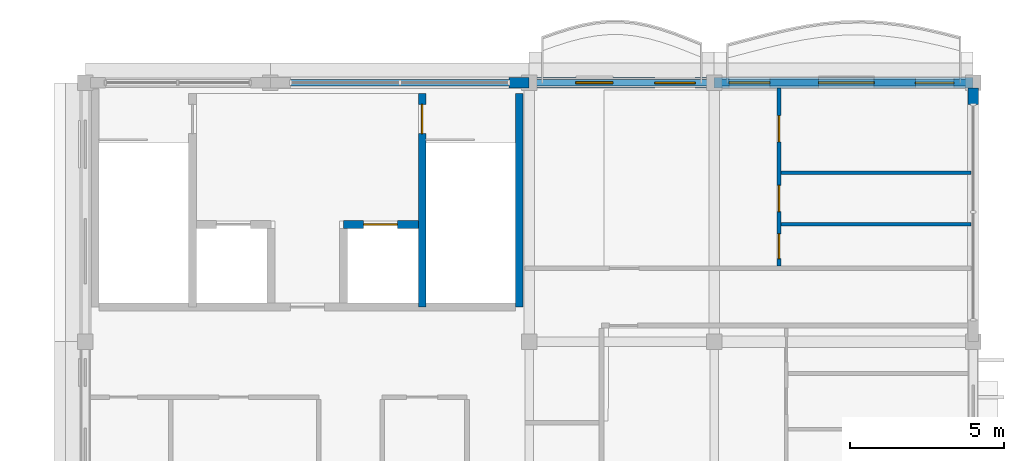
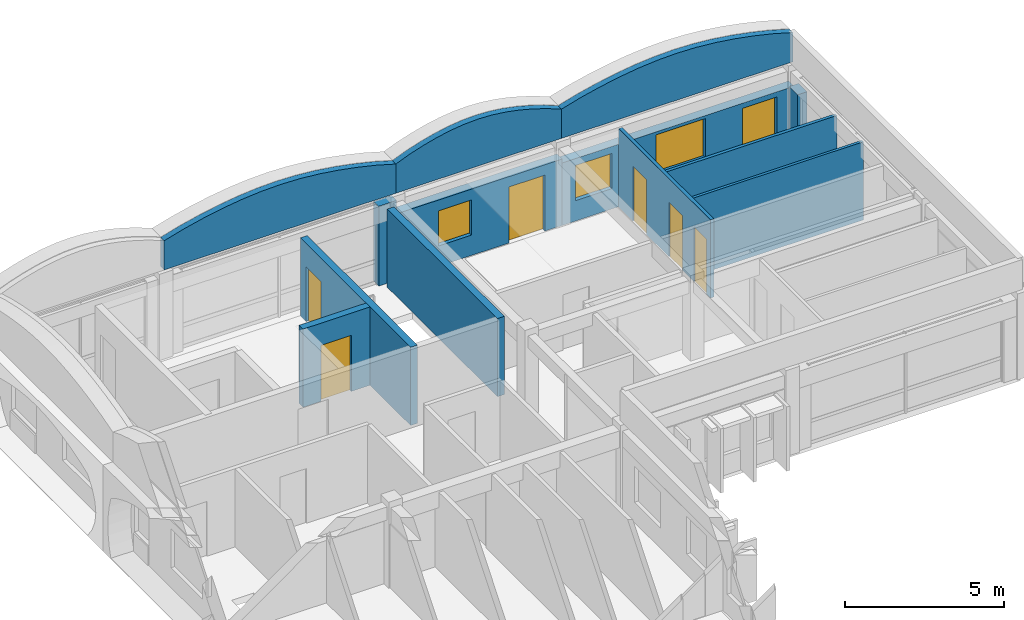
# One storey, part 8 of 12: 13 walls, 7 doors, 3 windows, 10 openings.
"""IFC4 building model written with IfcOpenShell, lengths in metres."""

from ifc_helpers import new_model, si_unit, direction, frame, frame_2d, origin, place, context, subcontext, project, spatial, polyline, rectangle, outline, extrude, material, layer, layer_set, type_object, element, fill, save


model = new_model("IFC4")

# Units and contexts
model_context = context("Model", 3, precision=1e-05, world=origin(), true_north=direction((0.0, 1.0)))
body_context = subcontext(model_context, "Body", "Model", "MODEL_VIEW")
ifc_project = project(units=[si_unit("LENGTHUNIT", "METRE"), si_unit("AREAUNIT", "SQUARE_METRE"), si_unit("VOLUMEUNIT", "CUBIC_METRE"), si_unit("PLANEANGLEUNIT", "RADIAN"), si_unit("MASSUNIT", "GRAM", prefix="KILO"), si_unit("THERMODYNAMICTEMPERATUREUNIT", "KELVIN")], contexts=[model_context])

# Site, building, storey
site_placement = place(None, origin())
site = spatial("IfcSite", under=ifc_project, at=site_placement, CompositionType="ELEMENT")
building_placement = place(site_placement, origin())
building = spatial("IfcBuilding", under=site, at=building_placement, Name="Thalorik Housing Commons", CompositionType="ELEMENT")
storey_placement = place(building_placement, frame((0.0, 0.0, 51.0)))
storey = spatial("IfcBuildingStorey", under=building, at=storey_placement, Name="L15", CompositionType="ELEMENT", Elevation=51.0)

# Wall
ifc_material_1 = material(Name="Concrete C40/50", Category="concrete")
ifc_layer_1 = layer(ifc_material_1, 0.25, Name="Concrete C40/50", Category="concrete")
ifc_layer_set_1 = layer_set([ifc_layer_1], Name="Concrete C40/50")
wall_type_1 = type_object("IfcWallType", Name="ARC-WAL-CORE-250", PredefinedType="SHEAR", material=ifc_layer_set_1)
wall_1_placement = place(storey_placement, frame((22.47509765625, 123.25, 0.0), z_axis=(0.0, 0.0, 1.0), x_axis=(0.0, -1.0, 0.0)))
element("IfcWall", 1, at=wall_1_placement, inside=storey, type_object=wall_type_1, Name="L15 Core A Stair 2 Outer Shear Wall", PredefinedType="SHEAR", context=body_context, shape_type="SweptSolid", body=[
    extrude(rectangle(XDim=6.925048828125, YDim=0.25, at=frame_2d((3.46240234375, 0.0))), origin(), (0.0, 0.0, 1.0), 3.0),
])

# Wall, opening, door
wall_2_placement = place(storey_placement, frame((19.324951171875, 123.25, 0.0), z_axis=(0.0, 0.0, 1.0), x_axis=(0.0, -1.0, 0.0)))
wall_2 = element("IfcWall", 2, at=wall_2_placement, inside=storey, type_object=wall_type_1, Name="L15 Core A Stair 2 Shear Wall", PredefinedType="SHEAR", context=body_context, shape_type="SweptSolid", body=[
    extrude(rectangle(XDim=6.925048828125, YDim=0.25, at=frame_2d((3.46240234375, 0.0))), origin(), (0.0, 0.0, 1.0), 3.0),
])
opening_1_placement = place(wall_2_placement, frame((0.35009765625, 0.0, 0.0)))
opening_1 = element("IfcOpeningElement", 3, at=opening_1_placement, cuts=wall_2, Name="Opening ID-0130", PredefinedType="OPENING", context=body_context, shape_type="SweptSolid", body=[
    extrude(rectangle(XDim=0.949951171875, YDim=2.10009765625, at=frame_2d((0.47509765625, 1.050048828125))), frame((0.0, 0.135009765625, 0.0), z_axis=(0.0, -1.0, 0.0), x_axis=(1.0, 0.0, 0.0)), (0.0, 0.0, 1.0), 0.27001953125),
])
ifc_material_2 = material(Name="Steel S355", Category="steel")
door_type_1 = type_object("IfcDoorType", Name="ARC-DR-FD60-950", OperationType="NOTDEFINED", PredefinedType="DOOR", material=ifc_material_2)
door_1_placement = place(opening_1_placement, origin())
door_1 = element("IfcDoor", 4, at=door_1_placement, inside=storey, type_object=door_type_1, Name="L15 Stair ST-A2 Fire Door", OperationType="SINGLE_SWING_LEFT", OverallHeight=2.10009765625, OverallWidth=0.949951171875, PredefinedType="DOOR", context=body_context, shape_type="SweptSolid", body=[
    extrude(rectangle(XDim=0.949951171875, YDim=2.10009765625, at=frame_2d((0.47509765625, 1.050048828125))), frame((0.0, 0.02490234375, 0.0), z_axis=(0.0, -1.0, 0.0), x_axis=(1.0, 0.0, 0.0)), (0.0, 0.0, 1.0), 0.050048828125),
])
fill(opening_1, door_1)

wall_3_placement = place(storey_placement, frame((16.77490234375, 119.0, 0.0), z_axis=(0.0, 0.0, 1.0), x_axis=(1.0, 0.0, 0.0)))
wall_3 = element("IfcWall", 5, at=wall_3_placement, inside=storey, type_object=wall_type_1, Name="L15 Lift LP-A2 Front Shaft Wall", PredefinedType="SHEAR", context=body_context, shape_type="SweptSolid", body=[
    extrude(rectangle(XDim=2.425048828125, YDim=0.25, at=frame_2d((1.21240234375, 0.0))), origin(), (0.0, 0.0, 1.0), 3.0),
])
opening_2_placement = place(wall_3_placement, frame((0.64990234375, 0.0, 0.0)))
opening_2 = element("IfcOpeningElement", 6, at=opening_2_placement, cuts=wall_3, Name="Opening LD-LP-A2-L15", PredefinedType="OPENING", context=body_context, shape_type="SweptSolid", body=[
    extrude(rectangle(XDim=1.10009765625, YDim=2.14990234375, at=frame_2d((0.550048828125, 1.074951171875))), frame((0.0, 0.135009765625, 0.0), z_axis=(0.0, -1.0, 0.0), x_axis=(1.0, 0.0, 0.0)), (0.0, 0.0, 1.0), 0.27001953125),
])
door_type_2 = type_object("IfcDoorType", Name="ARC-DR-LIFT-1100", OperationType="NOTDEFINED", PredefinedType="DOOR", material=ifc_material_2)
door_2_placement = place(opening_2_placement, origin())
door_2 = element("IfcDoor", 7, at=door_2_placement, inside=storey, type_object=door_type_2, Name="L15 Lift LP-A2 Landing Door", OperationType="SLIDING_TO_LEFT", OverallHeight=2.14990234375, OverallWidth=1.10009765625, PredefinedType="DOOR", context=body_context, shape_type="SweptSolid", body=[
    extrude(rectangle(XDim=1.10009765625, YDim=2.14990234375, at=frame_2d((0.550048828125, 1.074951171875))), frame((0.0, 0.02490234375, 0.0), z_axis=(0.0, -1.0, 0.0), x_axis=(1.0, 0.0, 0.0)), (0.0, 0.0, 1.0), 0.050048828125),
])
fill(opening_2, door_2)

# Wall
ifc_material_3 = material(Name="White precast concrete C40/50", Category="concrete")
ifc_layer_2 = layer(ifc_material_3, 0.3349609375, Name="White precast concrete C40/50", Category="concrete")
ifc_layer_set_2 = layer_set([ifc_layer_2], Name="White precast concrete C40/50")
wall_type_2 = type_object("IfcWallType", Name="ARC-WAL-EXT-335", PredefinedType="STANDARD", material=ifc_layer_set_2)
wall_4_placement = place(storey_placement, frame((37.199951171875, 122.89990234375, 0.0), z_axis=(0.0, 0.0, 1.0), x_axis=(0.0, 1.0, 0.0)))
element("IfcWall", 8, at=wall_4_placement, inside=storey, type_object=wall_type_2, Name="L15 Exterior Wall WAL-PIERR-L15-A-0354", PredefinedType="STANDARD", context=body_context, shape_type="SweptSolid", body=[
    extrude(rectangle(XDim=0.530517578125, YDim=0.3349609375, at=frame_2d((0.26513671875, 0.0))), origin(), (0.0, 0.0, 1.0), 2.445068359375),
])

# Wall, openings, door, windows
wall_5_placement = place(storey_placement, frame((37.199951171875, 123.60009765625, 0.0), z_axis=(0.0, 0.0, 1.0), x_axis=(-1.0, 0.0, 0.0)))
wall_5 = element("IfcWall", 9, at=wall_5_placement, inside=storey, type_object=wall_type_2, Name="L15 Exterior Wall WAL-EXT-L15-A-0355", PredefinedType="STANDARD", context=body_context, shape_type="SweptSolid", body=[
    extrude(rectangle(XDim=8.39990234375, YDim=0.3349609375, at=frame_2d((4.199951171875, 0.0))), origin(), (0.0, 0.0, 1.0), 2.39501953125),
])
opening_3_placement = place(wall_5_placement, frame((0.6201171875, 0.0, 0.0)))
opening_3 = element("IfcOpeningElement", 10, at=opening_3_placement, cuts=wall_5, Name="Opening ED-0111", PredefinedType="OPENING", context=body_context, shape_type="SweptSolid", body=[
    extrude(rectangle(XDim=1.25, YDim=2.199951171875, at=frame_2d((0.625, 1.10009765625))), frame((0.0, 0.177490234375, 0.0), z_axis=(0.0, -1.0, 0.0), x_axis=(1.0, 0.0, 0.0)), (0.0, 0.0, 1.0), 0.35498046875),
])
opening_4_placement = place(wall_5_placement, frame((3.20751953125, 0.0, 0.780029296875)))
opening_4 = element("IfcOpeningElement", 11, at=opening_4_placement, cuts=wall_5, Name="Opening W-18", PredefinedType="OPENING", context=body_context, shape_type="SweptSolid", body=[
    extrude(rectangle(XDim=1.800048828125, YDim=1.5, at=frame_2d((0.89990234375, 0.75))), frame((0.0, 0.177490234375, 0.0), z_axis=(0.0, -1.0, 0.0), x_axis=(1.0, 0.0, 0.0)), (0.0, 0.0, 1.0), 0.35498046875),
])
opening_5_placement = place(wall_5_placement, frame((6.59228515625, 0.0, 0.780029296875)))
opening_5 = element("IfcOpeningElement", 12, at=opening_5_placement, cuts=wall_5, Name="Opening W-48", PredefinedType="OPENING", context=body_context, shape_type="SweptSolid", body=[
    extrude(rectangle(XDim=1.320068359375, YDim=1.35009765625, at=frame_2d((0.66015625, 0.675048828125))), frame((0.0, 0.177490234375, 0.0), z_axis=(0.0, -1.0, 0.0), x_axis=(1.0, 0.0, 0.0)), (0.0, 0.0, 1.0), 0.35498046875),
])
ifc_material_4 = material(Name="Anodised aluminium and laminated safety glass", Category="aluminium")
door_type_3 = type_object("IfcDoorType", Name="ARC-DR-BAL-1250", OperationType="NOTDEFINED", PredefinedType="DOOR", material=ifc_material_4)
door_3_placement = place(opening_3_placement, frame((1.25, 0.0, 0.0), z_axis=(0.0, 0.0, 1.0), x_axis=(-1.0, 0.0, 0.0)))
door_3 = element("IfcDoor", 13, at=door_3_placement, inside=storey, type_object=door_type_3, Name="L15 Block A Balcony Glazed Door", OperationType="SINGLE_SWING_RIGHT", OverallHeight=2.199951171875, OverallWidth=1.25, PredefinedType="DOOR", context=body_context, shape_type="SweptSolid", body=[
    extrude(rectangle(XDim=1.25, YDim=2.199951171875, at=frame_2d((0.625, 1.10009765625))), frame((0.0, 0.02490234375, 0.0), z_axis=(0.0, -1.0, 0.0), x_axis=(1.0, 0.0, 0.0)), (0.0, 0.0, 1.0), 0.050048828125),
])
fill(opening_3, door_3)
ifc_material_5 = material(Name="Anodised aluminium and solar-control low-E glass", Category="aluminium")
window_type_1 = type_object("IfcWindowType", Name="ARC-WIN-18", PartitioningType="DOUBLE_PANEL_VERTICAL", PredefinedType="WINDOW", material=ifc_material_5)
window_1_placement = place(opening_4_placement, origin())
window_1 = element("IfcWindow", 14, at=window_1_placement, inside=storey, type_object=window_type_1, Name="L15 Facade Window 634", OverallHeight=1.5, OverallWidth=1.800048828125, PartitioningType="DOUBLE_PANEL_VERTICAL", PredefinedType="WINDOW", context=body_context, shape_type="SweptSolid", body=[
    extrude(rectangle(XDim=1.800048828125, YDim=1.5, at=frame_2d((0.89990234375, 0.75))), frame((0.0, 0.030029296875, 0.0), z_axis=(0.0, -1.0, 0.0), x_axis=(1.0, 0.0, 0.0)), (0.0, 0.0, 1.0), 0.06005859375),
])
fill(opening_4, window_1)
window_type_2 = type_object("IfcWindowType", Name="ARC-WIN-48", PartitioningType="SINGLE_PANEL", PredefinedType="WINDOW", material=ifc_material_5)
window_2_placement = place(opening_5_placement, origin())
window_2 = element("IfcWindow", 15, at=window_2_placement, inside=storey, type_object=window_type_2, Name="L15 Facade Window 635", OverallHeight=1.35009765625, OverallWidth=1.320068359375, PartitioningType="SINGLE_PANEL", PredefinedType="WINDOW", context=body_context, shape_type="SweptSolid", body=[
    extrude(rectangle(XDim=1.320068359375, YDim=1.35009765625, at=frame_2d((0.66015625, 0.675048828125))), frame((0.0, 0.030029296875, 0.0), z_axis=(0.0, -1.0, 0.0), x_axis=(1.0, 0.0, 0.0)), (0.0, 0.0, 1.0), 0.06005859375),
])
fill(opening_5, window_2)

# Wall, openings, door, window
wall_6_placement = place(storey_placement, frame((28.800048828125, 123.60009765625, 0.0), z_axis=(0.0, 0.0, 1.0), x_axis=(-1.0, 0.0, 0.0)))
wall_6 = element("IfcWall", 16, at=wall_6_placement, inside=storey, type_object=wall_type_2, Name="L15 Exterior Wall WAL-EXT-L15-A-0356", PredefinedType="STANDARD", context=body_context, shape_type="SweptSolid", body=[
    extrude(rectangle(XDim=6.0, YDim=0.3349609375, at=frame_2d((3.0, 0.0))), origin(), (0.0, 0.0, 1.0), 2.544921875),
])
opening_6_placement = place(wall_6_placement, frame((0.6201171875, 0.0, 0.0)))
opening_6 = element("IfcOpeningElement", 17, at=opening_6_placement, cuts=wall_6, Name="Opening ED-0112", PredefinedType="OPENING", context=body_context, shape_type="SweptSolid", body=[
    extrude(rectangle(XDim=1.300048828125, YDim=2.14990234375, at=frame_2d((0.64990234375, 1.074951171875))), frame((0.0, 0.177490234375, 0.0), z_axis=(0.0, -1.0, 0.0), x_axis=(1.0, 0.0, 0.0)), (0.0, 0.0, 1.0), 0.35498046875),
])
opening_7_placement = place(wall_6_placement, frame((3.2900390625, 0.0, 0.780029296875)))
opening_7 = element("IfcOpeningElement", 18, at=opening_7_placement, cuts=wall_6, Name="Opening W-04", PredefinedType="OPENING", context=body_context, shape_type="SweptSolid", body=[
    extrude(rectangle(XDim=1.199951171875, YDim=1.35009765625, at=frame_2d((0.60009765625, 0.675048828125))), frame((0.0, 0.177490234375, 0.0), z_axis=(0.0, -1.0, 0.0), x_axis=(1.0, 0.0, 0.0)), (0.0, 0.0, 1.0), 0.35498046875),
])
door_type_4 = type_object("IfcDoorType", Name="ARC-DR-BAL-1300", OperationType="NOTDEFINED", PredefinedType="DOOR", material=ifc_material_4)
door_4_placement = place(opening_6_placement, frame((1.300048828125, 0.0, 0.0), z_axis=(0.0, 0.0, 1.0), x_axis=(-1.0, 0.0, 0.0)))
door_4 = element("IfcDoor", 19, at=door_4_placement, inside=storey, type_object=door_type_4, Name="L15 Block A Balcony Glazed Door", OperationType="SINGLE_SWING_LEFT", OverallHeight=2.14990234375, OverallWidth=1.300048828125, PredefinedType="DOOR", context=body_context, shape_type="SweptSolid", body=[
    extrude(rectangle(XDim=1.300048828125, YDim=2.14990234375, at=frame_2d((0.64990234375, 1.074951171875))), frame((0.0, 0.02490234375, 0.0), z_axis=(0.0, -1.0, 0.0), x_axis=(1.0, 0.0, 0.0)), (0.0, 0.0, 1.0), 0.050048828125),
])
fill(opening_6, door_4)
window_type_3 = type_object("IfcWindowType", Name="ARC-WIN-04", PartitioningType="SINGLE_PANEL", PredefinedType="WINDOW", material=ifc_material_5)
window_3_placement = place(opening_7_placement, origin())
window_3 = element("IfcWindow", 20, at=window_3_placement, inside=storey, type_object=window_type_3, Name="L15 Facade Window 636", OverallHeight=1.35009765625, OverallWidth=1.199951171875, PartitioningType="SINGLE_PANEL", PredefinedType="WINDOW", context=body_context, shape_type="SweptSolid", body=[
    extrude(rectangle(XDim=1.199951171875, YDim=1.35009765625, at=frame_2d((0.60009765625, 0.675048828125))), frame((0.0, 0.030029296875, 0.0), z_axis=(0.0, -1.0, 0.0), x_axis=(1.0, 0.0, 0.0)), (0.0, 0.0, 1.0), 0.06005859375),
])
fill(opening_7, window_3)

# Walls
wall_7_placement = place(storey_placement, frame((22.800048828125, 123.60009765625, 0.0), z_axis=(0.0, 0.0, 1.0), x_axis=(-1.0, 0.0, 0.0)))
element("IfcWall", 21, at=wall_7_placement, inside=storey, type_object=wall_type_2, Name="L15 Exterior Wall WAL-PIERL-L15-A-0357", PredefinedType="STANDARD", context=body_context, shape_type="SweptSolid", body=[
    extrude(rectangle(XDim=0.650146484375, YDim=0.3349609375, at=frame_2d((0.3251953125, 0.0))), origin(), (0.0, 0.0, 1.0), 3.06005859375),
])
ifc_layer_3 = layer(ifc_material_3, 0.22509765625, Name="White precast concrete C40/50", Category="concrete")
ifc_layer_set_3 = layer_set([ifc_layer_3], Name="White precast concrete C40/50")
wall_type_3 = type_object("IfcWallType", Name="ARC-WAL-PAR-225", PredefinedType="PARAPET", material=ifc_layer_set_3)
wall_8_placement = place(storey_placement, frame((37.199951171875, 123.60009765625, 3.300048828125), z_axis=(0.0, 0.0, 1.0), x_axis=(-1.0, 0.0, 0.0)))
element("IfcWall", 22, at=wall_8_placement, inside=storey, type_object=wall_type_3, Name="L15 Block A Scalloped Arched Roof Parapet 3", PredefinedType="PARAPET", context=body_context, shape_type="SweptSolid", body=[
    extrude(outline(polyline([(0.0, 0.0), (8.39990234375, 0.0), (8.39990234375, 1.119873046875), (7.699951171875, 1.321533203125), (7.0, 1.484375), (6.300048828125, 1.61767578125), (5.60009765625, 1.71728515625), (4.89990234375, 1.779052734375), (4.199951171875, 1.800048828125), (3.5, 1.779052734375), (2.800048828125, 1.71728515625), (2.10009765625, 1.61767578125), (1.39990234375, 1.484375), (0.699951171875, 1.321533203125), (0.0, 1.119873046875), (0.0, 0.0)])), frame((0.0, 0.112548828125, 0.0), z_axis=(0.0, -1.0, 0.0), x_axis=(1.0, 0.0, 0.0)), (0.0, 0.0, 1.0), 0.22509765625),
])
wall_9_placement = place(storey_placement, frame((28.800048828125, 123.60009765625, 3.300048828125), z_axis=(0.0, 0.0, 1.0), x_axis=(-1.0, 0.0, 0.0)))
element("IfcWall", 23, at=wall_9_placement, inside=storey, type_object=wall_type_3, Name="L15 Block A Scalloped Arched Roof Parapet 4", PredefinedType="PARAPET", context=body_context, shape_type="SweptSolid", body=[
    extrude(outline(polyline([(0.0, 0.0), (6.0, 0.0), (6.0, 1.119873046875), (5.5, 1.321533203125), (5.0, 1.484375), (4.5, 1.61767578125), (4.0, 1.71728515625), (3.5, 1.779052734375), (3.0, 1.800048828125), (2.5, 1.779052734375), (2.0, 1.71728515625), (1.5, 1.61767578125), (1.0, 1.484375), (0.5, 1.321533203125), (0.0, 1.119873046875), (0.0, 0.0)])), frame((0.0, 0.112548828125, 0.0), z_axis=(0.0, -1.0, 0.0), x_axis=(1.0, 0.0, 0.0)), (0.0, 0.0, 1.0), 0.22509765625),
])
wall_10_placement = place(storey_placement, frame((22.800048828125, 123.60009765625, 3.300048828125), z_axis=(0.0, 0.0, 1.0), x_axis=(-1.0, 0.0, 0.0)))
element("IfcWall", 24, at=wall_10_placement, inside=storey, type_object=wall_type_3, Name="L15 Block A Scalloped Arched Roof Parapet 5", PredefinedType="PARAPET", context=body_context, shape_type="SweptSolid", body=[
    extrude(outline(polyline([(0.0, 0.0), (8.400146484375, 0.0), (8.39990234375, 1.119873046875), (7.699951171875, 1.321533203125), (7.0, 1.484375), (6.300048828125, 1.61767578125), (5.60009765625, 1.71728515625), (4.89990234375, 1.779052734375), (4.199951171875, 1.800048828125), (3.5, 1.779052734375), (2.800048828125, 1.71728515625), (2.10009765625, 1.61767578125), (1.39990234375, 1.484375), (0.699951171875, 1.321533203125), (0.0, 1.119873046875), (0.0, 0.0)])), frame((0.0, 0.112548828125, 0.0), z_axis=(0.0, -1.0, 0.0), x_axis=(1.0, 0.0, 0.0)), (0.0, 0.0, 1.0), 0.22509765625),
])
ifc_material_6 = material(Name="Gypsum light stud partition", Category="masonry")
ifc_layer_4 = layer(ifc_material_6, 0.10009765625, Name="Gypsum light stud partition", Category="masonry")
ifc_layer_set_4 = layer_set([ifc_layer_4], Name="Gypsum light stud partition")
wall_type_4 = type_object("IfcWallType", Name="ARC-WAL-PART-100", PredefinedType="PARTITIONING", material=ifc_layer_set_4)
wall_11_placement = place(storey_placement, frame((30.9697265625, 119.010498046875, 0.0), z_axis=(0.0, 0.0, 1.0), x_axis=(1.0, 0.0, 0.0)))
element("IfcWall", 25, at=wall_11_placement, inside=storey, type_object=wall_type_4, Name="L15 Unit 1B Wet Wall", PredefinedType="PARTITIONING", context=body_context, shape_type="SweptSolid", body=[
    extrude(rectangle(XDim=6.170166015625, YDim=0.10009765625, at=frame_2d((3.0849609375, 0.0))), origin(), (0.0, 0.0, 1.0), 3.0),
])
ifc_material_7 = material(Name="Gypsum moisture-resistant partition", Category="masonry")
ifc_layer_5 = layer(ifc_material_7, 0.114990234375, Name="Gypsum moisture-resistant partition", Category="masonry")
ifc_layer_set_5 = layer_set([ifc_layer_5], Name="Gypsum moisture-resistant partition")
wall_type_5 = type_object("IfcWallType", Name="ARC-WAL-PART-115", PredefinedType="PARTITIONING", material=ifc_layer_set_5)
wall_12_placement = place(storey_placement, frame((30.9697265625, 120.67919921875, 0.0), z_axis=(0.0, 0.0, 1.0), x_axis=(1.0, 0.0, 0.0)))
element("IfcWall", 26, at=wall_12_placement, inside=storey, type_object=wall_type_5, Name="L15 Unit 1B Bedroom Partition", PredefinedType="PARTITIONING", context=body_context, shape_type="SweptSolid", body=[
    extrude(rectangle(XDim=6.170166015625, YDim=0.114990234375, at=frame_2d((3.0849609375, 0.0))), origin(), (0.0, 0.0, 1.0), 3.0),
])

# Wall, openings, doors
ifc_material_8 = material(Name="Gypsum acoustic stud partition", Category="masonry")
ifc_layer_6 = layer(ifc_material_8, 0.125, Name="Gypsum acoustic stud partition", Category="masonry")
ifc_layer_set_6 = layer_set([ifc_layer_6], Name="Gypsum acoustic stud partition")
wall_type_6 = type_object("IfcWallType", Name="ARC-WAL-PART-125", PredefinedType="PARTITIONING", material=ifc_layer_set_6)
wall_13_placement = place(storey_placement, frame((30.9052734375, 117.656982421875, 0.0), z_axis=(0.0, 0.0, 1.0), x_axis=(0.0, 1.0, 0.0)))
wall_13 = element("IfcWall", 27, at=wall_13_placement, inside=storey, type_object=wall_type_6, Name="L15 Unit 1B Spine Partition", PredefinedType="PARTITIONING", context=body_context, shape_type="SweptSolid", body=[
    extrude(rectangle(XDim=5.7734375, YDim=0.125, at=frame_2d((2.88671875, 0.0))), origin(), (0.0, 0.0, 1.0), 3.0),
])
opening_8_placement = place(wall_13_placement, frame((0.23828125, 0.0, 0.0)))
opening_8 = element("IfcOpeningElement", 28, at=opening_8_placement, cuts=wall_13, Name="Opening ID-0976", PredefinedType="OPENING", context=body_context, shape_type="SweptSolid", body=[
    extrude(rectangle(XDim=0.800048828125, YDim=2.10009765625, at=frame_2d((0.39990234375, 1.050048828125))), frame((0.0, 0.072509765625, 0.0), z_axis=(0.0, -1.0, 0.0), x_axis=(1.0, 0.0, 0.0)), (0.0, 0.0, 1.0), 0.14501953125),
])
opening_9_placement = place(wall_13_placement, frame((1.7626953125, 0.0, 0.0)))
opening_9 = element("IfcOpeningElement", 29, at=opening_9_placement, cuts=wall_13, Name="Opening ID-0977", PredefinedType="OPENING", context=body_context, shape_type="SweptSolid", body=[
    extrude(rectangle(XDim=0.85009765625, YDim=2.10009765625, at=frame_2d((0.425048828125, 1.050048828125))), frame((0.0, 0.072509765625, 0.0), z_axis=(0.0, -1.0, 0.0), x_axis=(1.0, 0.0, 0.0)), (0.0, 0.0, 1.0), 0.14501953125),
])
opening_10_placement = place(wall_13_placement, frame((4.027587890625, 0.0, 0.0)))
opening_10 = element("IfcOpeningElement", 30, at=opening_10_placement, cuts=wall_13, Name="Opening ID-0978", PredefinedType="OPENING", context=body_context, shape_type="SweptSolid", body=[
    extrude(rectangle(XDim=0.85009765625, YDim=2.10009765625, at=frame_2d((0.425048828125, 1.050048828125))), frame((0.0, 0.072509765625, 0.0), z_axis=(0.0, -1.0, 0.0), x_axis=(1.0, 0.0, 0.0)), (0.0, 0.0, 1.0), 0.14501953125),
])
ifc_material_9 = material(Name="Moisture-resistant timber", Category="wood")
door_type_5 = type_object("IfcDoorType", Name="ARC-DR-INT-800", OperationType="NOTDEFINED", PredefinedType="DOOR", material=ifc_material_9)
door_5_placement = place(opening_8_placement, origin())
door_5 = element("IfcDoor", 31, at=door_5_placement, inside=storey, type_object=door_type_5, Name="L15 Flat Bathroom Door", OperationType="SINGLE_SWING_LEFT", OverallHeight=2.10009765625, OverallWidth=0.800048828125, PredefinedType="DOOR", context=body_context, shape_type="SweptSolid", body=[
    extrude(rectangle(XDim=0.800048828125, YDim=2.10009765625, at=frame_2d((0.39990234375, 1.050048828125))), frame((0.0, 0.02490234375, 0.0), z_axis=(0.0, -1.0, 0.0), x_axis=(1.0, 0.0, 0.0)), (0.0, 0.0, 1.0), 0.050048828125),
])
fill(opening_8, door_5)
ifc_material_10 = material(Name="Engineered oak timber", Category="wood")
door_type_6 = type_object("IfcDoorType", Name="ARC-DR-INT-850", OperationType="NOTDEFINED", PredefinedType="DOOR", material=ifc_material_10)
door_6_placement = place(opening_9_placement, origin())
door_6 = element("IfcDoor", 32, at=door_6_placement, inside=storey, type_object=door_type_6, Name="L15 Eat-In Kitchen Door", OperationType="SINGLE_SWING_RIGHT", OverallHeight=2.10009765625, OverallWidth=0.85009765625, PredefinedType="DOOR", context=body_context, shape_type="SweptSolid", body=[
    extrude(rectangle(XDim=0.85009765625, YDim=2.10009765625, at=frame_2d((0.425048828125, 1.050048828125))), frame((0.0, 0.02490234375, 0.0), z_axis=(0.0, -1.0, 0.0), x_axis=(1.0, 0.0, 0.0)), (0.0, 0.0, 1.0), 0.050048828125),
])
fill(opening_9, door_6)
door_7_placement = place(opening_10_placement, origin())
door_7 = element("IfcDoor", 33, at=door_7_placement, inside=storey, type_object=door_type_6, Name="L15 Master Bedroom Door", OperationType="SINGLE_SWING_LEFT", OverallHeight=2.10009765625, OverallWidth=0.85009765625, PredefinedType="DOOR", context=body_context, shape_type="SweptSolid", body=[
    extrude(rectangle(XDim=0.85009765625, YDim=2.10009765625, at=frame_2d((0.425048828125, 1.050048828125))), frame((0.0, 0.02490234375, 0.0), z_axis=(0.0, -1.0, 0.0), x_axis=(1.0, 0.0, 0.0)), (0.0, 0.0, 1.0), 0.050048828125),
])
fill(opening_10, door_7)

save(model, "model.ifc")
